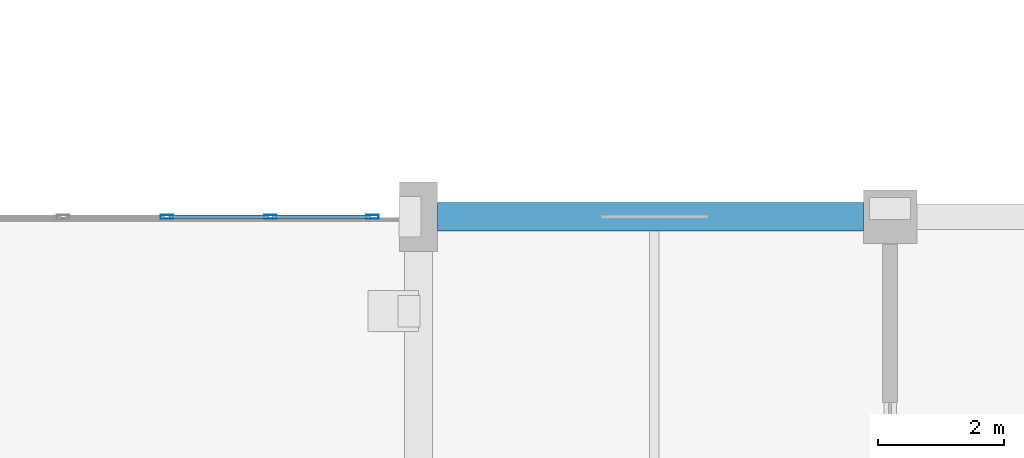
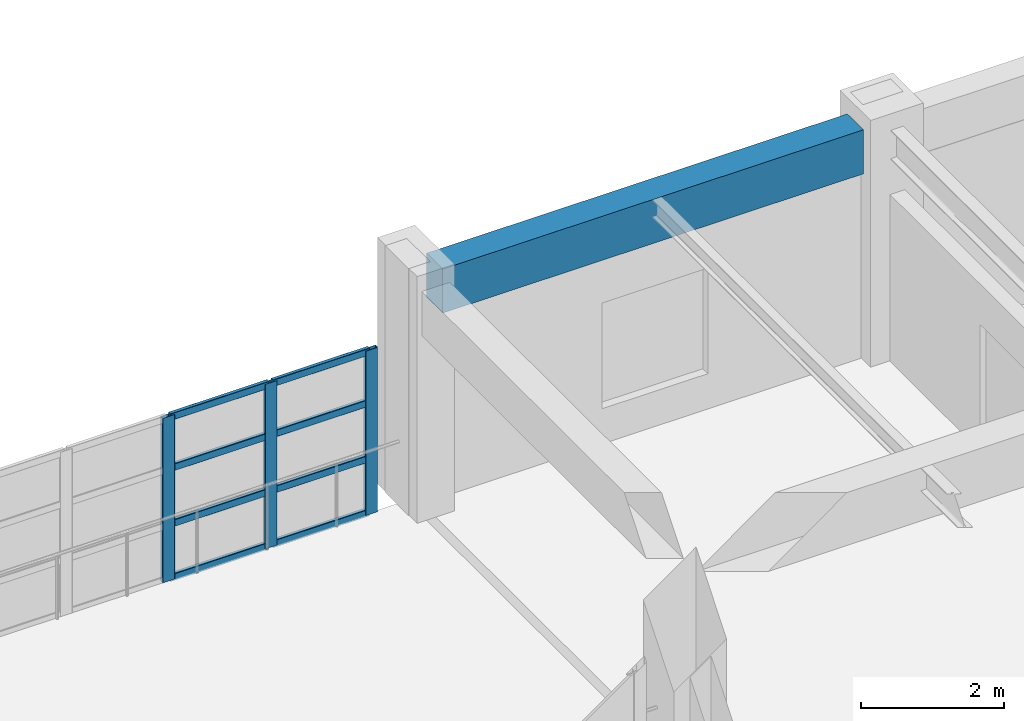
# One storey, part 52 of 132: 11 members, 1 beam, 1 element without a shape of its own.
"""IFC4 building model written with IfcOpenShell, lengths in metres."""

from ifc_helpers import new_model, si_unit, direction, frame, origin, origin_2d, place, context, subcontext, project, spatial, rectangle, hollow_rectangle, extrude, material, material_profile, profile_set, type_object, element, aggregate, save


model = new_model("IFC4")

# Units and contexts
model_context = context("Model", 3, precision=1e-05, world=origin(), true_north=direction((0.0, 1.0)))
body_context = subcontext(model_context, "Body", "Model", "MODEL_VIEW")
ifc_project = project(units=[si_unit("LENGTHUNIT", "METRE"), si_unit("AREAUNIT", "SQUARE_METRE"), si_unit("VOLUMEUNIT", "CUBIC_METRE"), si_unit("PLANEANGLEUNIT", "RADIAN"), si_unit("MASSUNIT", "GRAM", prefix="KILO")], contexts=[model_context])

# Site, building, storey
site_placement = place(None, origin())
site = spatial("IfcSite", under=ifc_project, at=site_placement, CompositionType="ELEMENT")
building_placement = place(site_placement, origin())
building = spatial("IfcBuilding", under=site, at=building_placement, Name="Qasida Concert Hall", CompositionType="ELEMENT")
storey_placement = place(building_placement, frame((0.0, 0.0, 4.800048828125)))
storey = spatial("IfcBuildingStorey", under=building, at=storey_placement, Name="L01", CompositionType="ELEMENT", Elevation=4.800048828125)

# Beam
ifc_material_1 = material(Name="Concrete C40/50", Category="concrete")
ifc_material_profile_1 = material_profile(ifc_material_1, rectangle(XDim=0.449951171875, YDim=0.75, at=origin_2d()), Name="RC 450x750")
ifc_profile_set_1 = profile_set([ifc_material_profile_1], Name="Concrete C40/50")
beam_type = type_object("IfcBeamType", Name="BM-SP4", PredefinedType="SPANDREL", material=ifc_profile_set_1)
beam_placement = place(storey_placement, frame((52.800048828125, 82.5, 3.544921875), z_axis=(1.0, 0.0, 0.0), x_axis=(0.0, 1.0, 0.0)))
element("IfcBeam", 1, at=beam_placement, inside=storey, type_object=beam_type, Name="Primary girder 0791", PredefinedType="SPANDREL", context=body_context, shape_type="SweptSolid", body=[
    extrude(rectangle(XDim=0.449951171875, YDim=0.75, at=origin_2d()), origin(), (0.0, 0.0, 1.0), 6.77490234375),
])

# Curtain wall, members
ifc_material_2 = material(Name="Architectural bronze-anodized aluminium and low-E glass", Category="aluminium")
curtain_wall_type = type_object("IfcCurtainWallType", Name="CW-08", PredefinedType="NOTDEFINED", material=ifc_material_2)
curtain_wall_placement = place(storey_placement, origin())
curtain_wall = element("IfcCurtainWall", 2, at=curtain_wall_placement, inside=storey, type_object=curtain_wall_type, Name="L01 link bridge glazing 0217", PredefinedType="NOTDEFINED")
ifc_material_3 = material(Name="Architectural bronze-anodized aluminium EN AW-6063", Category="aluminium")
ifc_material_profile_2 = material_profile(ifc_material_3, hollow_rectangle(XDim=0.06494140625, YDim=0.199951171875, WallThickness=0.0048828125, InnerFilletRadius=0.0048828125, OuterFilletRadius=0.010009765625, at=origin_2d()), Name="CWM 200x65x5")
ifc_profile_set_2 = profile_set([ifc_material_profile_2], Name="Architectural bronze-anodized aluminium EN AW-6063")
member_type_1 = type_object("IfcMemberType", Name="MB-CWM-2", PredefinedType="MULLION", material=ifc_profile_set_2)
member_1_placement = place(storey_placement, frame((48.5, 82.5, 0.0), z_axis=(0.0, 0.0, 1.0), x_axis=(0.0, 1.0, 0.0)))
member_1 = element("IfcMember", 3, at=member_1_placement, type_object=member_type_1, Name="CW-08 mullion 3", PredefinedType="MULLION", context=body_context, shape_type="SweptSolid", body=[
    extrude(hollow_rectangle(XDim=0.06494140625, YDim=0.199951171875, WallThickness=0.0048828125, InnerFilletRadius=0.0048828125, OuterFilletRadius=0.010009765625, at=origin_2d()), origin(), (0.0, 0.0, 1.0), 2.800048828125),
])
member_2_placement = place(storey_placement, frame((50.14990234375, 82.5, 0.0), z_axis=(0.0, 0.0, 1.0), x_axis=(0.0, 1.0, 0.0)))
member_2 = element("IfcMember", 4, at=member_2_placement, type_object=member_type_1, Name="CW-08 mullion 4", PredefinedType="MULLION", context=body_context, shape_type="SweptSolid", body=[
    extrude(hollow_rectangle(XDim=0.06494140625, YDim=0.199951171875, WallThickness=0.0048828125, InnerFilletRadius=0.0048828125, OuterFilletRadius=0.010009765625, at=origin_2d()), origin(), (0.0, 0.0, 1.0), 2.800048828125),
])
member_3_placement = place(storey_placement, frame((51.767578125, 82.5, 0.0), z_axis=(0.0, 0.0, 1.0), x_axis=(0.0, 1.0, 0.0)))
member_3 = element("IfcMember", 5, at=member_3_placement, type_object=member_type_1, Name="CW-08 mullion 5", PredefinedType="MULLION", context=body_context, shape_type="SweptSolid", body=[
    extrude(hollow_rectangle(XDim=0.06494140625, YDim=0.199951171875, WallThickness=0.0048828125, InnerFilletRadius=0.0048828125, OuterFilletRadius=0.010009765625, at=origin_2d()), origin(), (0.0, 0.0, 1.0), 2.800048828125),
])
ifc_material_profile_3 = material_profile(ifc_material_3, hollow_rectangle(XDim=0.06005859375, YDim=0.1201171875, WallThickness=0.00390625, InnerFilletRadius=0.00390625, OuterFilletRadius=0.008056640625, at=origin_2d()), Name="CWT 120x60x4")
ifc_profile_set_3 = profile_set([ifc_material_profile_3], Name="Architectural bronze-anodized aluminium EN AW-6063")
member_type_2 = type_object("IfcMemberType", Name="MB-CWT-2", PredefinedType="USERDEFINED", material=ifc_profile_set_3)
member_4_placement = place(storey_placement, frame((48.532470703125, 82.5, 0.030029296875), z_axis=(1.0, 0.0, 0.0), x_axis=(0.0, 1.0, 0.0)))
member_4 = element("IfcMember", 6, at=member_4_placement, type_object=member_type_2, Name="CW-08 transom 3.1", ObjectType="TRANSOM", PredefinedType="USERDEFINED", context=body_context, shape_type="SweptSolid", body=[
    extrude(hollow_rectangle(XDim=0.06005859375, YDim=0.1201171875, WallThickness=0.00390625, InnerFilletRadius=0.00390625, OuterFilletRadius=0.008056640625, at=origin_2d()), origin(), (0.0, 0.0, 1.0), 1.5849609375),
])
member_5_placement = place(storey_placement, frame((48.532470703125, 82.5, 0.949951171875), z_axis=(1.0, 0.0, 0.0), x_axis=(0.0, 1.0, 0.0)))
member_5 = element("IfcMember", 7, at=member_5_placement, type_object=member_type_2, Name="CW-08 transom 3.2", ObjectType="TRANSOM", PredefinedType="USERDEFINED", context=body_context, shape_type="SweptSolid", body=[
    extrude(hollow_rectangle(XDim=0.06005859375, YDim=0.1201171875, WallThickness=0.00390625, InnerFilletRadius=0.00390625, OuterFilletRadius=0.008056640625, at=origin_2d()), origin(), (0.0, 0.0, 1.0), 1.5849609375),
])
member_6_placement = place(storey_placement, frame((48.532470703125, 82.5, 1.89990234375), z_axis=(1.0, 0.0, 0.0), x_axis=(0.0, 1.0, 0.0)))
member_6 = element("IfcMember", 8, at=member_6_placement, type_object=member_type_2, Name="CW-08 transom 3.3", ObjectType="TRANSOM", PredefinedType="USERDEFINED", context=body_context, shape_type="SweptSolid", body=[
    extrude(hollow_rectangle(XDim=0.06005859375, YDim=0.1201171875, WallThickness=0.00390625, InnerFilletRadius=0.00390625, OuterFilletRadius=0.008056640625, at=origin_2d()), origin(), (0.0, 0.0, 1.0), 1.5849609375),
])
member_7_placement = place(storey_placement, frame((48.532470703125, 82.5, 2.77001953125), z_axis=(1.0, 0.0, 0.0), x_axis=(0.0, 1.0, 0.0)))
member_7 = element("IfcMember", 9, at=member_7_placement, type_object=member_type_2, Name="CW-08 transom 3.4", ObjectType="TRANSOM", PredefinedType="USERDEFINED", context=body_context, shape_type="SweptSolid", body=[
    extrude(hollow_rectangle(XDim=0.06005859375, YDim=0.1201171875, WallThickness=0.00390625, InnerFilletRadius=0.00390625, OuterFilletRadius=0.008056640625, at=origin_2d()), origin(), (0.0, 0.0, 1.0), 1.5849609375),
])
member_8_placement = place(storey_placement, frame((50.1826171875, 82.5, 0.030029296875), z_axis=(1.0, 0.0, 0.0), x_axis=(0.0, 1.0, 0.0)))
member_8 = element("IfcMember", 10, at=member_8_placement, type_object=member_type_2, Name="CW-08 transom 4.1", ObjectType="TRANSOM", PredefinedType="USERDEFINED", context=body_context, shape_type="SweptSolid", body=[
    extrude(hollow_rectangle(XDim=0.06005859375, YDim=0.1201171875, WallThickness=0.00390625, InnerFilletRadius=0.00390625, OuterFilletRadius=0.008056640625, at=origin_2d()), origin(), (0.0, 0.0, 1.0), 1.552490234375),
])
member_9_placement = place(storey_placement, frame((50.1826171875, 82.5, 0.949951171875), z_axis=(1.0, 0.0, 0.0), x_axis=(0.0, 1.0, 0.0)))
member_9 = element("IfcMember", 11, at=member_9_placement, type_object=member_type_2, Name="CW-08 transom 4.2", ObjectType="TRANSOM", PredefinedType="USERDEFINED", context=body_context, shape_type="SweptSolid", body=[
    extrude(hollow_rectangle(XDim=0.06005859375, YDim=0.1201171875, WallThickness=0.00390625, InnerFilletRadius=0.00390625, OuterFilletRadius=0.008056640625, at=origin_2d()), origin(), (0.0, 0.0, 1.0), 1.552490234375),
])
member_10_placement = place(storey_placement, frame((50.1826171875, 82.5, 1.89990234375), z_axis=(1.0, 0.0, 0.0), x_axis=(0.0, 1.0, 0.0)))
member_10 = element("IfcMember", 12, at=member_10_placement, type_object=member_type_2, Name="CW-08 transom 4.3", ObjectType="TRANSOM", PredefinedType="USERDEFINED", context=body_context, shape_type="SweptSolid", body=[
    extrude(hollow_rectangle(XDim=0.06005859375, YDim=0.1201171875, WallThickness=0.00390625, InnerFilletRadius=0.00390625, OuterFilletRadius=0.008056640625, at=origin_2d()), origin(), (0.0, 0.0, 1.0), 1.552490234375),
])
member_11_placement = place(storey_placement, frame((50.1826171875, 82.5, 2.77001953125), z_axis=(1.0, 0.0, 0.0), x_axis=(0.0, 1.0, 0.0)))
member_11 = element("IfcMember", 13, at=member_11_placement, type_object=member_type_2, Name="CW-08 transom 4.4", ObjectType="TRANSOM", PredefinedType="USERDEFINED", context=body_context, shape_type="SweptSolid", body=[
    extrude(hollow_rectangle(XDim=0.06005859375, YDim=0.1201171875, WallThickness=0.00390625, InnerFilletRadius=0.00390625, OuterFilletRadius=0.008056640625, at=origin_2d()), origin(), (0.0, 0.0, 1.0), 1.552490234375),
])
aggregate(curtain_wall, [member_1, member_2, member_3, member_4, member_5, member_6, member_7, member_8, member_9, member_10, member_11])

save(model, "model.ifc")
